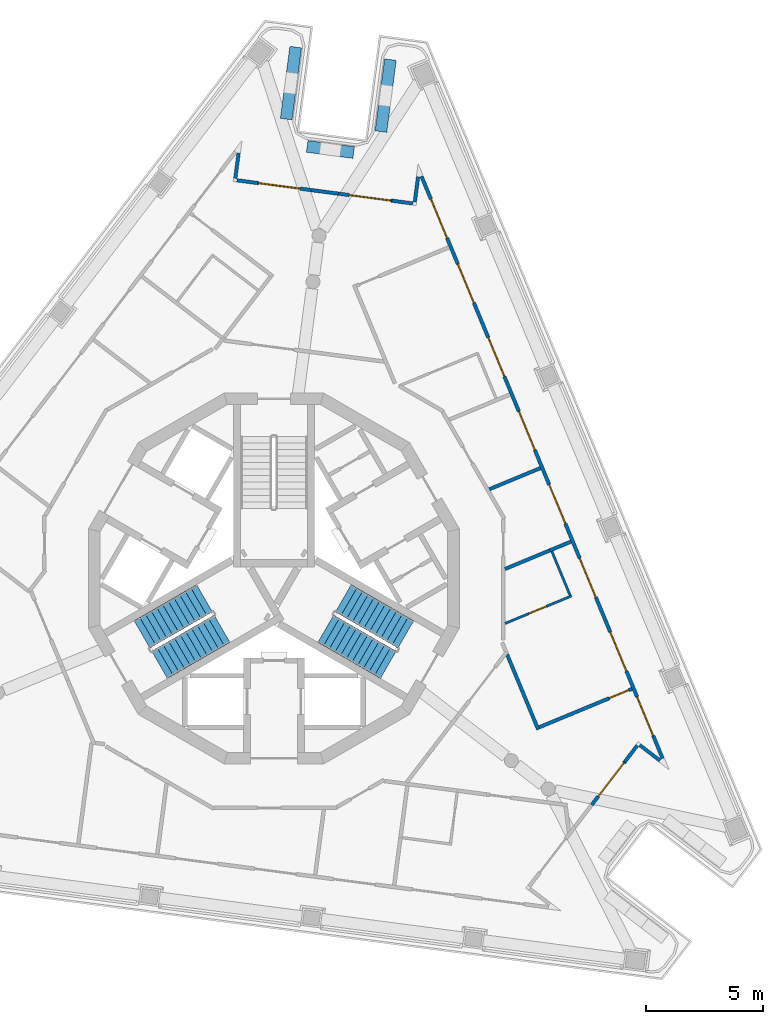
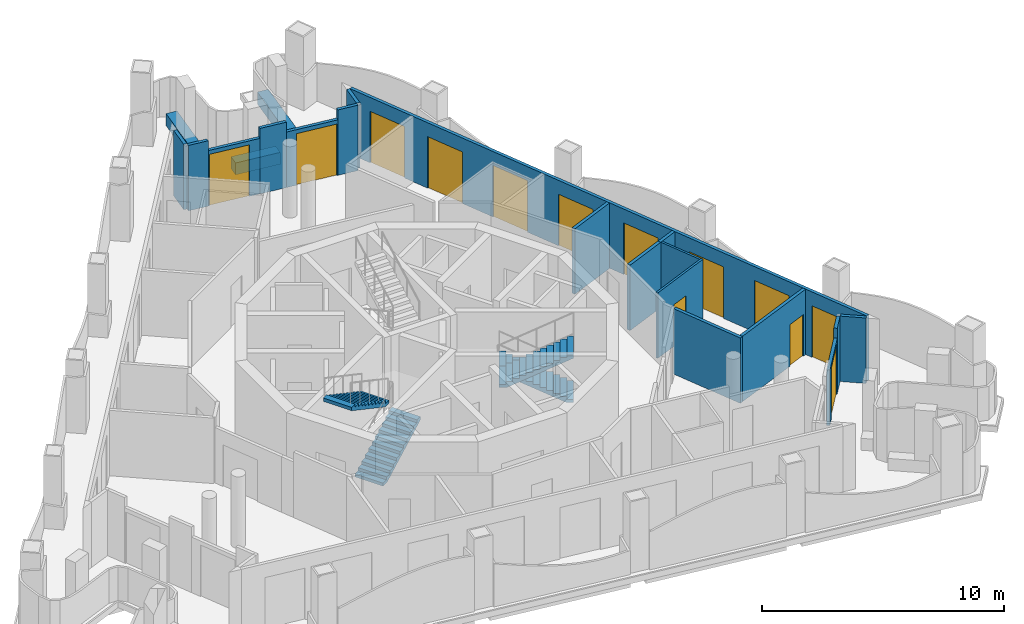
# One storey, part 6 of 13: 21 walls, 13 doors, 4 stair flights, 13 openings, 2 elements without a shape of their own.
"""IFC4 building model written with IfcOpenShell, lengths in metres."""

import ifcopenshell
import ifcopenshell.guid

model = None  # the IFC model being written
_history = None  # IfcOwnerHistory: only IFC2X3 demands one
_inside = {}  # id of a spatial element -> (the spatial element, [elements in it])
_under = {}  # id of a project, library or spatial element -> (it, [spatial elements below it])
_declared = {}  # id of a project -> (the project, [libraries it declares])
_typed = {}  # id of a type object -> (the type object, [elements of that type])
_made_of = {}  # id of a material, layer set ... -> (it, [elements and type objects made of it])


def new_model(schema):
    """Start an empty IFC model of exactly this schema.

    Asked for "IFC4X3", IfcOpenShell would pick the latest addendum, in which some entities
    have other attributes; the version numbers below select the first issue.
    IFC2X3 requires an IfcOwnerHistory on every rooted entity: one is made here for all.
    """
    global model, _history
    if schema == "IFC4X3":
        model = ifcopenshell.file(schema_version=(4, 3, 0, 0))
    else:
        model = ifcopenshell.file(schema=schema)
    _inside.clear()
    _under.clear()
    _declared.clear()
    _typed.clear()
    _made_of.clear()
    _history = None
    if model.schema == "IFC2X3":
        org = make("IfcOrganization", Name="unknown")
        user = make(
            "IfcPersonAndOrganization",
            ThePerson=make("IfcPerson", FamilyName="unknown"),
            TheOrganization=org,
        )
        app = make(
            "IfcApplication",
            ApplicationDeveloper=org,
            Version="unknown",
            ApplicationFullName="unknown",
            ApplicationIdentifier="unknown",
        )
        _history = make(
            "IfcOwnerHistory",
            OwningUser=user,
            OwningApplication=app,
            ChangeAction="ADDED",
            CreationDate=0,
        )
    return model


def make(cls, **values):
    """One entity of the class cls with the attributes given. An attribute that is None is left unset."""
    return model.create_entity(
        cls, **{name: value for name, value in values.items() if value is not None}
    )


def rooted(cls, **values):
    """An entity with a GlobalId (a new one), such as an element, a storey or a relation."""
    return make(cls, GlobalId=ifcopenshell.guid.new(), OwnerHistory=_history, **values)


def si_unit(unit_type, name, prefix=None):
    """IfcSIUnit, for example si_unit("LENGTHUNIT", "METRE", prefix="MILLI")."""
    return make("IfcSIUnit", UnitType=unit_type, Prefix=prefix, Name=name)


def assignment(units):
    """IfcUnitAssignment: the units of a project."""
    return None if units is None else make("IfcUnitAssignment", Units=units)


def point(xyz):
    """IfcCartesianPoint."""
    return None if xyz is None else make("IfcCartesianPoint", Coordinates=xyz)


def direction(xyz):
    """IfcDirection."""
    return None if xyz is None else make("IfcDirection", DirectionRatios=xyz)


def frame(location, z_axis=None, x_axis=None):
    """IfcAxis2Placement3D, a coordinate frame: its origin and axes. An axis left out is left unset."""
    return make(
        "IfcAxis2Placement3D",
        Location=point(location),
        Axis=direction(z_axis),
        RefDirection=direction(x_axis),
    )


def frame_2d(location, x_axis=None):
    """IfcAxis2Placement2D, a coordinate frame in the plane: its origin and x axis."""
    return make(
        "IfcAxis2Placement2D", Location=point(location), RefDirection=direction(x_axis)
    )


def origin():
    """The frame at (0, 0, 0) with its axes left unset."""
    return frame((0.0, 0.0, 0.0))


def place(relative_to, where):
    """IfcLocalPlacement: puts the frame where relative to a parent placement (None: the world)."""
    return make(
        "IfcLocalPlacement", PlacementRelTo=relative_to, RelativePlacement=where
    )


def context(
    kind, dimensions, precision=None, world=None, true_north=None, identifier=None
):
    """IfcGeometricRepresentationContext, for example the 3D "Model" context."""
    return make(
        "IfcGeometricRepresentationContext",
        ContextIdentifier=identifier,
        ContextType=kind,
        CoordinateSpaceDimension=dimensions,
        Precision=precision,
        WorldCoordinateSystem=world,
        TrueNorth=true_north,
    )


def subcontext(parent, identifier, kind, view, scale=None):
    """IfcGeometricRepresentationSubContext, for example "Body" below "Model"."""
    return make(
        "IfcGeometricRepresentationSubContext",
        ContextIdentifier=identifier,
        ContextType=kind,
        ParentContext=parent,
        TargetScale=scale,
        TargetView=view,
    )


def project(units=None, contexts=None):
    """IfcProject with its units and contexts."""
    return rooted(
        "IfcProject",
        Name="project",
        RepresentationContexts=contexts,
        UnitsInContext=assignment(units),
    )


def spatial(cls, under=None, at=None, **own):
    """A site, building, storey or space (cls), placed at a placement, below another one or the project."""
    s = rooted(cls, ObjectPlacement=at, **own)
    if under is not None:
        _under.setdefault(under.id(), (under, []))[1].append(s)
    return s


def polyline(points):
    """IfcPolyline through the points."""
    return make("IfcPolyline", Points=[point(p) for p in points])


def profile(cls, at=None, kind="AREA", **sizes):
    """A parametric profile (cls). Its sizes go by their IFC names, for example OverallWidth=200.0."""
    return make(cls, ProfileType=kind, Position=at, **sizes)


def rectangle(**sizes):
    """IfcRectangleProfileDef."""
    return profile("IfcRectangleProfileDef", **sizes)


def outline(outer, holes=None, kind="AREA"):
    """IfcArbitraryClosedProfileDef: a profile drawn as a closed curve; with holes, ...WithVoids."""
    if holes is None:
        return make("IfcArbitraryClosedProfileDef", ProfileType=kind, OuterCurve=outer)
    return make(
        "IfcArbitraryProfileDefWithVoids",
        ProfileType=kind,
        OuterCurve=outer,
        InnerCurves=holes,
    )


def extrude(swept, where, along, depth):
    """IfcExtrudedAreaSolid: the profile swept, set in the frame where, extruded along a direction by depth."""
    return make(
        "IfcExtrudedAreaSolid",
        SweptArea=swept,
        Position=where,
        ExtrudedDirection=direction(along),
        Depth=depth,
    )


def shape(context_of_items, identifier, shape_type, items):
    """IfcShapeRepresentation: the items that make up one representation, for example the "Body"."""
    return make(
        "IfcShapeRepresentation",
        ContextOfItems=context_of_items,
        RepresentationIdentifier=identifier,
        RepresentationType=shape_type,
        Items=items,
    )


def material(Name=None, Category=None):
    """IfcMaterial."""
    return make("IfcMaterial", Name=Name, Category=Category)


def layer(
    of_material, thickness, ventilated=None, Name=None, Category=None, Priority=None
):
    """IfcMaterialLayer: one layer of a wall or slab, of a material (None: an air gap)."""
    return make(
        "IfcMaterialLayer",
        Material=of_material,
        LayerThickness=thickness,
        IsVentilated=ventilated,
        Name=Name,
        Category=Category,
        Priority=Priority,
    )


def layer_set(layers, Name=None):
    """IfcMaterialLayerSet."""
    return make("IfcMaterialLayerSet", MaterialLayers=layers, LayerSetName=Name)


def made_of(thing, what):
    """Note that an element or type object is made of a material, layer set ...; save() writes the relation."""
    if what is not None:
        _made_of.setdefault(what.id(), (what, []))[1].append(thing)
    return thing


def type_object(cls, material=None, **own):
    """A type object (cls), such as IfcWallType, which elements share."""
    return made_of(rooted(cls, **own), material)


def element(
    cls,
    number,
    at=None,
    inside=None,
    cuts=None,
    type_object=None,
    material=None,
    context=None,
    identifier="Body",
    shape_type=None,
    held_by="IfcProductDefinitionShape",
    body=None,
    shapes=None,
    **own,
):
    """One element of the class cls, such as IfcWall. Its Tag is "e" and its number.

    at: its placement. inside: the storey or other place that contains it. cuts: it is an
    opening in that element (IfcRelVoidsElement). A single representation is given by context,
    identifier, shape_type and body (its items); several are given by shapes. held_by: the class
    of the entity that holds the representations. save() writes the other relations.
    """
    e = rooted(cls, Tag="e%d" % number, ObjectPlacement=at, **own)
    if body is not None:
        shapes = [shape(context, identifier, shape_type, body)]
    if shapes is not None:
        e.Representation = make(held_by, Representations=shapes)
    if inside is not None:
        _inside.setdefault(inside.id(), (inside, []))[1].append(e)
    if cuts is not None:
        rooted(
            "IfcRelVoidsElement", RelatingBuildingElement=cuts, RelatedOpeningElement=e
        )
    if type_object is not None:
        _typed.setdefault(type_object.id(), (type_object, []))[1].append(e)
    return made_of(e, material)


def fill(opening, filler):
    """IfcRelFillsElement: the door or window that sits in an opening."""
    return rooted(
        "IfcRelFillsElement",
        RelatingOpeningElement=opening,
        RelatedBuildingElement=filler,
    )


def aggregate(whole, parts):
    """IfcRelAggregates: a whole, such as a stair, and the parts it consists of."""
    return rooted("IfcRelAggregates", RelatingObject=whole, RelatedObjects=parts)


def save(model, path):
    """Write the relations noted so far, then the file.

    IfcRelAggregates (storeys below a building ...), IfcRelContainedInSpatialStructure (elements
    in a storey), IfcRelDefinesByType, IfcRelAssociatesMaterial and IfcRelDeclares: one each for
    every whole, place, type object, material and project.
    """
    for whole, parts in _under.values():
        aggregate(whole, parts)
    for where, things in _inside.values():
        rooted(
            "IfcRelContainedInSpatialStructure",
            RelatedElements=things,
            RelatingStructure=where,
        )
    for kind, things in _typed.values():
        rooted("IfcRelDefinesByType", RelatedObjects=things, RelatingType=kind)
    for what, things in _made_of.values():
        rooted("IfcRelAssociatesMaterial", RelatedObjects=things, RelatingMaterial=what)
    for by, libraries in _declared.values():
        rooted("IfcRelDeclares", RelatingContext=by, RelatedDefinitions=libraries)
    model.write(path)


model = new_model("IFC4")

# Units and contexts
model_context = context("Model", 3, precision=1e-05, world=origin(), true_north=direction((0.0, 1.0)))
body_context = subcontext(model_context, "Body", "Model", "MODEL_VIEW")
ifc_project = project(units=[si_unit("LENGTHUNIT", "METRE"), si_unit("AREAUNIT", "SQUARE_METRE"), si_unit("VOLUMEUNIT", "CUBIC_METRE"), si_unit("PLANEANGLEUNIT", "RADIAN"), si_unit("MASSUNIT", "GRAM", prefix="KILO")], contexts=[model_context])

# Site, building, storey
site_placement = place(None, origin())
site = spatial("IfcSite", under=ifc_project, at=site_placement, CompositionType="ELEMENT")
building_placement = place(site_placement, origin())
building = spatial("IfcBuilding", under=site, at=building_placement, Name="Trine Commons Tower", CompositionType="ELEMENT")
storey_placement = place(building_placement, frame((0.0, 0.0, 286.199951171875)))
storey = spatial("IfcBuildingStorey", under=building, at=storey_placement, Name="L75", CompositionType="ELEMENT", Elevation=286.199951171875)

# Walls
ifc_material_1 = material(Name="Aluminium-framed insulated wall panel", Category="aluminium")
ifc_layer_1 = layer(ifc_material_1, 0.14990234375)
ifc_layer_set_1 = layer_set([ifc_layer_1], Name="Aluminium-framed insulated wall panel")
wall_type_1 = type_object("IfcWallType", Name="Glazed frame wall 150, EI 60", PredefinedType="SOLIDWALL", material=ifc_layer_set_1)
wall_1_placement = place(storey_placement, frame((78.51220703125, 80.81005859375, 0.0), z_axis=(0.0, 0.0, 1.0), x_axis=(-0.130510858064, -0.991446880033, 0.0)))
element("IfcWall", 1, at=wall_1_placement, inside=storey, type_object=wall_type_1, Name="Glazed frame wall R2", PredefinedType="SOLIDWALL", context=body_context, shape_type="SweptSolid", body=[
    extrude(outline(polyline([(0.1494140625, 0.074951171875), (0.1494140625, -0.074951171875), (1.235107421875, -0.074951171875), (1.235107421875, 0.074951171875), (0.1494140625, 0.074951171875)])), origin(), (0.0, 0.0, 1.0), 3.300048828125),
])
wall_2_placement = place(storey_placement, frame((78.306396484375, 79.515869140625, 0.0), z_axis=(0.0, 0.0, 1.0), x_axis=(0.991437672373, -0.130580786489, 0.0)))
element("IfcWall", 2, at=wall_2_placement, inside=storey, type_object=wall_type_1, Name="Glazed frame wall P1.1", PredefinedType="SOLIDWALL", context=body_context, shape_type="SweptSolid", body=[
    extrude(outline(polyline([(0.110107421875, -0.074951171875), (1.0, -0.074951171875), (1.0, 0.074951171875), (0.110107421875, 0.074951171875), (0.110107421875, -0.074951171875)])), origin(), (0.0, 0.0, 1.0), 3.300048828125),
])

# Wall, opening, door
wall_3_placement = place(storey_placement, frame((79.298095703125, 79.38525390625, 0.0), z_axis=(0.0, 0.0, 1.0), x_axis=(0.991435223914, -0.130599375121, 0.0)))
wall_3 = element("IfcWall", 3, at=wall_3_placement, inside=storey, type_object=wall_type_1, Name="Glazed frame wall P1.2", PredefinedType="SOLIDWALL", context=body_context, shape_type="SweptSolid", body=[
    extrude(outline(polyline([(0.0, -0.074951171875), (2.310791015625, -0.074951171875), (2.310791015625, 0.074951171875), (0.0, 0.074951171875), (0.0, -0.074951171875)])), origin(), (0.0, 0.0, 1.0), 2.800048828125),
])
opening_1_placement = place(wall_3_placement, frame((0.050048828125, 0.0, 0.0)))
opening_1 = element("IfcOpeningElement", 4, at=opening_1_placement, cuts=wall_3, Name="Opening BD-8P1-01", PredefinedType="OPENING", context=body_context, shape_type="SweptSolid", body=[
    extrude(rectangle(XDim=1.800048828125, YDim=2.60009765625, at=frame_2d((0.89990234375, 1.300048828125))), frame((0.0, 0.0849609375, 0.0), z_axis=(0.0, -1.0, 0.0), x_axis=(1.0, 0.0, 0.0)), (0.0, 0.0, 1.0), 0.169921875),
])
ifc_material_2 = material(Name="Anodised aluminium frame with double glazing", Category="aluminium")
door_type_1 = type_object("IfcDoorType", Name="Sliding loggia door 1800x2600", OperationType="SLIDING_TO_LEFT", PredefinedType="DOOR", material=ifc_material_2)
door_1_placement = place(opening_1_placement, origin())
door_1 = element("IfcDoor", 5, at=door_1_placement, inside=storey, type_object=door_type_1, Name="Loggia door P1 1", OperationType="SLIDING_TO_LEFT", OverallHeight=2.60009765625, OverallWidth=1.800048828125, PredefinedType="DOOR", context=body_context, shape_type="SweptSolid", body=[
    extrude(rectangle(XDim=1.800048828125, YDim=2.60009765625, at=frame_2d((0.89990234375, 1.300048828125))), frame((0.0, 0.02490234375, 0.0), z_axis=(0.0, -1.0, 0.0), x_axis=(1.0, 0.0, 0.0)), (0.0, 0.0, 1.0), 0.050048828125),
])
fill(opening_1, door_1)

# Wall
wall_4_placement = place(storey_placement, frame((81.5888671875, 79.08349609375, 0.0), z_axis=(0.0, 0.0, 1.0), x_axis=(0.991447243185, -0.130508099291, 0.0)))
element("IfcWall", 6, at=wall_4_placement, inside=storey, type_object=wall_type_1, Name="Glazed frame wall P1.3", PredefinedType="SOLIDWALL", context=body_context, shape_type="SweptSolid", body=[
    extrude(outline(polyline([(0.0, -0.074951171875), (1.1787109375, -0.074951171875), (1.1787109375, 0.074951171875), (0.0, 0.074951171875), (0.0, -0.074951171875)])), origin(), (0.0, 0.0, 1.0), 3.300048828125),
])

# Wall, opening, door
wall_5_placement = place(storey_placement, frame((82.75732421875, 78.9296875, 0.0), z_axis=(0.0, 0.0, 1.0), x_axis=(0.991450699069, -0.130481842855, 0.0)))
wall_5 = element("IfcWall", 7, at=wall_5_placement, inside=storey, type_object=wall_type_1, Name="Glazed frame wall P1.4", PredefinedType="SOLIDWALL", context=body_context, shape_type="SweptSolid", body=[
    extrude(outline(polyline([(0.0, -0.074951171875), (2.310791015625, -0.074951171875), (2.310791015625, 0.074951171875), (0.0, 0.074951171875), (0.0, -0.074951171875)])), origin(), (0.0, 0.0, 1.0), 2.800048828125),
])
opening_2_placement = place(wall_5_placement, frame((0.460693359375, 0.0, 0.0)))
opening_2 = element("IfcOpeningElement", 8, at=opening_2_placement, cuts=wall_5, Name="Opening BD-8P1-02", PredefinedType="OPENING", context=body_context, shape_type="SweptSolid", body=[
    extrude(rectangle(XDim=1.800048828125, YDim=2.60009765625, at=frame_2d((0.89990234375, 1.300048828125))), frame((0.0, 0.0849609375, 0.0), z_axis=(0.0, -1.0, 0.0), x_axis=(1.0, 0.0, 0.0)), (0.0, 0.0, 1.0), 0.169921875),
])
door_2_placement = place(opening_2_placement, origin())
door_2 = element("IfcDoor", 9, at=door_2_placement, inside=storey, type_object=door_type_1, Name="Loggia door P1 2", OperationType="SLIDING_TO_LEFT", OverallHeight=2.60009765625, OverallWidth=1.800048828125, PredefinedType="DOOR", context=body_context, shape_type="SweptSolid", body=[
    extrude(rectangle(XDim=1.800048828125, YDim=2.60009765625, at=frame_2d((0.89990234375, 1.300048828125))), frame((0.0, 0.02490234375, 0.0), z_axis=(0.0, -1.0, 0.0), x_axis=(1.0, 0.0, 0.0)), (0.0, 0.0, 1.0), 0.050048828125),
])
fill(opening_2, door_2)

# Walls
wall_6_placement = place(storey_placement, frame((85.04833984375, 78.628173828125, 0.0), z_axis=(0.0, 0.0, 1.0), x_axis=(0.991465094935, -0.130372410907, 0.0)))
element("IfcWall", 10, at=wall_6_placement, inside=storey, type_object=wall_type_1, Name="Glazed frame wall P1.5", PredefinedType="SOLIDWALL", context=body_context, shape_type="SweptSolid", body=[
    extrude(outline(polyline([(0.889892578125, 0.074951171875), (0.0, 0.074951171875), (0.0, -0.074951171875), (0.889892578125, -0.074951171875), (0.889892578125, 0.074951171875)])), origin(), (0.0, 0.0, 1.0), 3.300048828125),
])
wall_7_placement = place(storey_placement, frame((86.00048828125, 78.467529296875, 0.0), z_axis=(0.0, 0.0, 1.0), x_axis=(0.130510858064, 0.991446880033, 0.0)))
element("IfcWall", 11, at=wall_7_placement, inside=storey, type_object=wall_type_1, Name="Glazed frame wall R4", PredefinedType="SOLIDWALL", context=body_context, shape_type="SweptSolid", body=[
    extrude(outline(polyline([(0.110107421875, 0.074951171875), (0.110107421875, -0.074951171875), (1.19580078125, -0.074951171875), (1.19580078125, 0.074951171875), (0.110107421875, 0.074951171875)])), origin(), (0.0, 0.0, 1.0), 3.300048828125),
])

# Wall, openings, doors
wall_8_placement = place(storey_placement, frame((86.2431640625, 79.809814453125, 0.0), z_axis=(0.0, 0.0, 1.0), x_axis=(0.382683868189, -0.923879351987, 0.0)))
wall_8 = element("IfcWall", 12, at=wall_8_placement, inside=storey, type_object=wall_type_1, Name="Glazed frame wall F2", PredefinedType="SOLIDWALL", context=body_context, shape_type="SweptSolid", body=[
    extrude(outline(polyline([(0.1494140625, 0.074951171875), (0.1494140625, -0.074951171875), (27.056884765625, -0.074951171875), (27.056884765625, 0.074951171875), (0.1494140625, 0.074951171875)])), origin(), (0.0, 0.0, 1.0), 3.300048828125),
])
opening_3_placement = place(wall_8_placement, frame((1.200439453125, 0.0, 0.0)))
opening_3 = element("IfcOpeningElement", 13, at=opening_3_placement, cuts=wall_8, Name="Opening BD-8F2-01", PredefinedType="OPENING", context=body_context, shape_type="SweptSolid", body=[
    extrude(rectangle(XDim=1.800048828125, YDim=2.60009765625, at=frame_2d((0.89990234375, 1.300048828125))), frame((0.0, 0.0849609375, 0.0), z_axis=(0.0, -1.0, 0.0), x_axis=(1.0, 0.0, 0.0)), (0.0, 0.0, 1.0), 0.169921875),
])
opening_4_placement = place(wall_8_placement, frame((4.201171875, 0.0, 0.0)))
opening_4 = element("IfcOpeningElement", 14, at=opening_4_placement, cuts=wall_8, Name="Opening BD-8F2-02", PredefinedType="OPENING", context=body_context, shape_type="SweptSolid", body=[
    extrude(rectangle(XDim=1.800048828125, YDim=2.60009765625, at=frame_2d((0.89990234375, 1.300048828125))), frame((0.0, 0.0849609375, 0.0), z_axis=(0.0, -1.0, 0.0), x_axis=(1.0, 0.0, 0.0)), (0.0, 0.0, 1.0), 0.169921875),
])
opening_5_placement = place(wall_8_placement, frame((7.60205078125, 0.0, 0.0)))
opening_5 = element("IfcOpeningElement", 15, at=opening_5_placement, cuts=wall_8, Name="Opening BD-8F2-03", PredefinedType="OPENING", context=body_context, shape_type="SweptSolid", body=[
    extrude(rectangle(XDim=1.800048828125, YDim=2.60009765625, at=frame_2d((0.89990234375, 1.300048828125))), frame((0.0, 0.0849609375, 0.0), z_axis=(0.0, -1.0, 0.0), x_axis=(1.0, 0.0, 0.0)), (0.0, 0.0, 1.0), 0.169921875),
])
opening_6_placement = place(wall_8_placement, frame((11.002685546875, 0.0, 0.0)))
opening_6 = element("IfcOpeningElement", 16, at=opening_6_placement, cuts=wall_8, Name="Opening BD-8F2-04", PredefinedType="OPENING", context=body_context, shape_type="SweptSolid", body=[
    extrude(rectangle(XDim=1.800048828125, YDim=2.60009765625, at=frame_2d((0.89990234375, 1.300048828125))), frame((0.0, 0.0849609375, 0.0), z_axis=(0.0, -1.0, 0.0), x_axis=(1.0, 0.0, 0.0)), (0.0, 0.0, 1.0), 0.169921875),
])
opening_7_placement = place(wall_8_placement, frame((14.403564453125, 0.0, 0.0)))
opening_7 = element("IfcOpeningElement", 17, at=opening_7_placement, cuts=wall_8, Name="Opening BD-8F2-05", PredefinedType="OPENING", context=body_context, shape_type="SweptSolid", body=[
    extrude(rectangle(XDim=1.800048828125, YDim=2.60009765625, at=frame_2d((0.89990234375, 1.300048828125))), frame((0.0, 0.0849609375, 0.0), z_axis=(0.0, -1.0, 0.0), x_axis=(1.0, 0.0, 0.0)), (0.0, 0.0, 1.0), 0.169921875),
])
opening_8_placement = place(wall_8_placement, frame((17.804443359375, 0.0, 0.0)))
opening_8 = element("IfcOpeningElement", 18, at=opening_8_placement, cuts=wall_8, Name="Opening BD-8F2-06", PredefinedType="OPENING", context=body_context, shape_type="SweptSolid", body=[
    extrude(rectangle(XDim=1.800048828125, YDim=2.60009765625, at=frame_2d((0.89990234375, 1.300048828125))), frame((0.0, 0.0849609375, 0.0), z_axis=(0.0, -1.0, 0.0), x_axis=(1.0, 0.0, 0.0)), (0.0, 0.0, 1.0), 0.169921875),
])
opening_9_placement = place(wall_8_placement, frame((21.205078125, 0.0, 0.0)))
opening_9 = element("IfcOpeningElement", 19, at=opening_9_placement, cuts=wall_8, Name="Opening BD-8F2-07", PredefinedType="OPENING", context=body_context, shape_type="SweptSolid", body=[
    extrude(rectangle(XDim=1.800048828125, YDim=2.60009765625, at=frame_2d((0.89990234375, 1.300048828125))), frame((0.0, 0.0849609375, 0.0), z_axis=(0.0, -1.0, 0.0), x_axis=(1.0, 0.0, 0.0)), (0.0, 0.0, 1.0), 0.169921875),
])
opening_10_placement = place(wall_8_placement, frame((24.2060546875, 0.0, 0.0)))
opening_10 = element("IfcOpeningElement", 20, at=opening_10_placement, cuts=wall_8, Name="Opening BD-8F2-08", PredefinedType="OPENING", context=body_context, shape_type="SweptSolid", body=[
    extrude(rectangle(XDim=1.800048828125, YDim=2.60009765625, at=frame_2d((0.89990234375, 1.300048828125))), frame((0.0, 0.0849609375, 0.0), z_axis=(0.0, -1.0, 0.0), x_axis=(1.0, 0.0, 0.0)), (0.0, 0.0, 1.0), 0.169921875),
])
door_3_placement = place(opening_3_placement, origin())
door_3 = element("IfcDoor", 21, at=door_3_placement, inside=storey, type_object=door_type_1, Name="Loggia door F2 1", OperationType="SLIDING_TO_LEFT", OverallHeight=2.60009765625, OverallWidth=1.800048828125, PredefinedType="DOOR", context=body_context, shape_type="SweptSolid", body=[
    extrude(rectangle(XDim=1.800048828125, YDim=2.60009765625, at=frame_2d((0.89990234375, 1.300048828125))), frame((0.0, 0.02490234375, 0.0), z_axis=(0.0, -1.0, 0.0), x_axis=(1.0, 0.0, 0.0)), (0.0, 0.0, 1.0), 0.050048828125),
])
fill(opening_3, door_3)
door_4_placement = place(opening_4_placement, origin())
door_4 = element("IfcDoor", 22, at=door_4_placement, inside=storey, type_object=door_type_1, Name="Loggia door F2 2", OperationType="SLIDING_TO_LEFT", OverallHeight=2.60009765625, OverallWidth=1.800048828125, PredefinedType="DOOR", context=body_context, shape_type="SweptSolid", body=[
    extrude(rectangle(XDim=1.800048828125, YDim=2.60009765625, at=frame_2d((0.89990234375, 1.300048828125))), frame((0.0, 0.02490234375, 0.0), z_axis=(0.0, -1.0, 0.0), x_axis=(1.0, 0.0, 0.0)), (0.0, 0.0, 1.0), 0.050048828125),
])
fill(opening_4, door_4)
door_5_placement = place(opening_5_placement, origin())
door_5 = element("IfcDoor", 23, at=door_5_placement, inside=storey, type_object=door_type_1, Name="Loggia door F2 3", OperationType="SLIDING_TO_LEFT", OverallHeight=2.60009765625, OverallWidth=1.800048828125, PredefinedType="DOOR", context=body_context, shape_type="SweptSolid", body=[
    extrude(rectangle(XDim=1.800048828125, YDim=2.60009765625, at=frame_2d((0.89990234375, 1.300048828125))), frame((0.0, 0.02490234375, 0.0), z_axis=(0.0, -1.0, 0.0), x_axis=(1.0, 0.0, 0.0)), (0.0, 0.0, 1.0), 0.050048828125),
])
fill(opening_5, door_5)
door_6_placement = place(opening_6_placement, origin())
door_6 = element("IfcDoor", 24, at=door_6_placement, inside=storey, type_object=door_type_1, Name="Loggia door F2 4", OperationType="SLIDING_TO_LEFT", OverallHeight=2.60009765625, OverallWidth=1.800048828125, PredefinedType="DOOR", context=body_context, shape_type="SweptSolid", body=[
    extrude(rectangle(XDim=1.800048828125, YDim=2.60009765625, at=frame_2d((0.89990234375, 1.300048828125))), frame((0.0, 0.02490234375, 0.0), z_axis=(0.0, -1.0, 0.0), x_axis=(1.0, 0.0, 0.0)), (0.0, 0.0, 1.0), 0.050048828125),
])
fill(opening_6, door_6)
door_7_placement = place(opening_7_placement, origin())
door_7 = element("IfcDoor", 25, at=door_7_placement, inside=storey, type_object=door_type_1, Name="Loggia door F2 5", OperationType="SLIDING_TO_LEFT", OverallHeight=2.60009765625, OverallWidth=1.800048828125, PredefinedType="DOOR", context=body_context, shape_type="SweptSolid", body=[
    extrude(rectangle(XDim=1.800048828125, YDim=2.60009765625, at=frame_2d((0.89990234375, 1.300048828125))), frame((0.0, 0.02490234375, 0.0), z_axis=(0.0, -1.0, 0.0), x_axis=(1.0, 0.0, 0.0)), (0.0, 0.0, 1.0), 0.050048828125),
])
fill(opening_7, door_7)
door_8_placement = place(opening_8_placement, origin())
door_8 = element("IfcDoor", 26, at=door_8_placement, inside=storey, type_object=door_type_1, Name="Loggia door F2 6", OperationType="SLIDING_TO_LEFT", OverallHeight=2.60009765625, OverallWidth=1.800048828125, PredefinedType="DOOR", context=body_context, shape_type="SweptSolid", body=[
    extrude(rectangle(XDim=1.800048828125, YDim=2.60009765625, at=frame_2d((0.89990234375, 1.300048828125))), frame((0.0, 0.02490234375, 0.0), z_axis=(0.0, -1.0, 0.0), x_axis=(1.0, 0.0, 0.0)), (0.0, 0.0, 1.0), 0.050048828125),
])
fill(opening_8, door_8)
door_9_placement = place(opening_9_placement, origin())
door_9 = element("IfcDoor", 27, at=door_9_placement, inside=storey, type_object=door_type_1, Name="Loggia door F2 7", OperationType="SLIDING_TO_LEFT", OverallHeight=2.60009765625, OverallWidth=1.800048828125, PredefinedType="DOOR", context=body_context, shape_type="SweptSolid", body=[
    extrude(rectangle(XDim=1.800048828125, YDim=2.60009765625, at=frame_2d((0.89990234375, 1.300048828125))), frame((0.0, 0.02490234375, 0.0), z_axis=(0.0, -1.0, 0.0), x_axis=(1.0, 0.0, 0.0)), (0.0, 0.0, 1.0), 0.050048828125),
])
fill(opening_9, door_9)
door_10_placement = place(opening_10_placement, origin())
door_10 = element("IfcDoor", 28, at=door_10_placement, inside=storey, type_object=door_type_1, Name="Loggia door F2 8", OperationType="SLIDING_TO_LEFT", OverallHeight=2.60009765625, OverallWidth=1.800048828125, PredefinedType="DOOR", context=body_context, shape_type="SweptSolid", body=[
    extrude(rectangle(XDim=1.800048828125, YDim=2.60009765625, at=frame_2d((0.89990234375, 1.300048828125))), frame((0.0, 0.02490234375, 0.0), z_axis=(0.0, -1.0, 0.0), x_axis=(1.0, 0.0, 0.0)), (0.0, 0.0, 1.0), 0.050048828125),
])
fill(opening_10, door_10)

# Walls
wall_9_placement = place(storey_placement, frame((96.600830078125, 54.633544921875, 0.0), z_axis=(0.0, 0.0, 1.0), x_axis=(-0.793352136239, 0.608762998157, 0.0)))
element("IfcWall", 29, at=wall_9_placement, inside=storey, type_object=wall_type_1, Name="Glazed frame wall R6", PredefinedType="SOLIDWALL", context=body_context, shape_type="SweptSolid", body=[
    extrude(outline(polyline([(0.1494140625, 0.074951171875), (0.1494140625, -0.074951171875), (1.235107421875, -0.074951171875), (1.235107421875, 0.074951171875), (0.1494140625, 0.074951171875)])), origin(), (0.0, 0.0, 1.0), 3.300048828125),
])
wall_10_placement = place(storey_placement, frame((95.582763671875, 55.458740234375, 0.0), z_axis=(0.0, 0.0, 1.0), x_axis=(-0.60863653794, -0.793449156962, 0.0)))
element("IfcWall", 30, at=wall_10_placement, inside=storey, type_object=wall_type_1, Name="Glazed frame wall P2.1", PredefinedType="SOLIDWALL", context=body_context, shape_type="SweptSolid", body=[
    extrude(outline(polyline([(0.110107421875, -0.074951171875), (1.0, -0.074951171875), (1.0, 0.074951171875), (0.110107421875, 0.074951171875), (0.110107421875, -0.074951171875)])), origin(), (0.0, 0.0, 1.0), 3.300048828125),
])

# Wall, opening, door
wall_11_placement = place(storey_placement, frame((94.97412109375, 54.665283203125, 0.0), z_axis=(0.0, 0.0, 1.0), x_axis=(-0.608821878019, -0.793306952475, 0.0)))
wall_11 = element("IfcWall", 31, at=wall_11_placement, inside=storey, type_object=wall_type_1, Name="Glazed frame wall P2.2", PredefinedType="SOLIDWALL", context=body_context, shape_type="SweptSolid", body=[
    extrude(outline(polyline([(0.0, -0.074951171875), (2.310791015625, -0.074951171875), (2.310791015625, 0.074951171875), (0.0, 0.074951171875), (0.0, -0.074951171875)])), origin(), (0.0, 0.0, 1.0), 2.800048828125),
])
opening_11_placement = place(wall_11_placement, frame((0.050048828125, 0.0, 0.0)))
opening_11 = element("IfcOpeningElement", 32, at=opening_11_placement, cuts=wall_11, Name="Opening BD-8P2-01", PredefinedType="OPENING", context=body_context, shape_type="SweptSolid", body=[
    extrude(rectangle(XDim=1.800048828125, YDim=2.60009765625, at=frame_2d((0.89990234375, 1.300048828125))), frame((0.0, 0.0849609375, 0.0), z_axis=(0.0, -1.0, 0.0), x_axis=(1.0, 0.0, 0.0)), (0.0, 0.0, 1.0), 0.169921875),
])
door_11_placement = place(opening_11_placement, origin())
door_11 = element("IfcDoor", 33, at=door_11_placement, inside=storey, type_object=door_type_1, Name="Loggia door P2 1", OperationType="SLIDING_TO_LEFT", OverallHeight=2.60009765625, OverallWidth=1.800048828125, PredefinedType="DOOR", context=body_context, shape_type="SweptSolid", body=[
    extrude(rectangle(XDim=1.800048828125, YDim=2.60009765625, at=frame_2d((0.89990234375, 1.300048828125))), frame((0.0, 0.02490234375, 0.0), z_axis=(0.0, -1.0, 0.0), x_axis=(1.0, 0.0, 0.0)), (0.0, 0.0, 1.0), 0.050048828125),
])
fill(opening_11, door_11)

# Walls
ifc_material_3 = material(Name="Planter trough, precast concrete C40/50", Category="concrete")
ifc_layer_2 = layer(ifc_material_3, 0.5)
ifc_layer_set_2 = layer_set([ifc_layer_2], Name="Planter trough, precast concrete C40/50")
wall_type_2 = type_object("IfcWallType", Name="Planter trough 500x600", PredefinedType="PARAPET", material=ifc_layer_set_2)
wall_12_placement = place(storey_placement, frame((80.92919921875, 85.18701171875, 0.0), z_axis=(0.0, 0.0, 1.0), x_axis=(-0.130487105691, -0.991450006429, 0.0)))
element("IfcWall", 34, at=wall_12_placement, inside=storey, type_object=wall_type_2, Name="Planter 4", PredefinedType="PARAPET", context=body_context, shape_type="SweptSolid", body=[
    extrude(rectangle(XDim=3.100341796875, YDim=0.5, at=frame_2d((1.55029296875, 0.0))), origin(), (0.0, 0.0, 1.0), 0.60009765625),
])
wall_13_placement = place(storey_placement, frame((81.419921875, 80.94677734375, 0.0), z_axis=(0.0, 0.0, 1.0), x_axis=(0.991433509034, -0.130612392842, 0.0)))
element("IfcWall", 35, at=wall_13_placement, inside=storey, type_object=wall_type_2, Name="Planter 5", PredefinedType="PARAPET", context=body_context, shape_type="SweptSolid", body=[
    extrude(rectangle(XDim=2.0, YDim=0.5, at=frame_2d((1.0, 0.0))), origin(), (0.0, 0.0, 1.0), 0.60009765625),
])
wall_14_placement = place(storey_placement, frame((84.569580078125, 81.5810546875, 0.0), z_axis=(0.0, 0.0, 1.0), x_axis=(0.130507484591, 0.9914473241, 0.0)))
element("IfcWall", 36, at=wall_14_placement, inside=storey, type_object=wall_type_2, Name="Planter 6", PredefinedType="PARAPET", context=body_context, shape_type="SweptSolid", body=[
    extrude(rectangle(XDim=3.099853515625, YDim=0.5, at=frame_2d((1.5498046875, 0.0))), origin(), (0.0, 0.0, 1.0), 0.60009765625),
])
ifc_material_4 = material(Name="Gypsum plasterboard on steel stud", Category="steel")
ifc_layer_3 = layer(ifc_material_4, 0.14990234375)
ifc_layer_set_3 = layer_set([ifc_layer_3], Name="Gypsum plasterboard on steel stud")
wall_type_3 = type_object("IfcWallType", Name="Unit and corridor wall 150 mm, EI 60", PredefinedType="PARTITIONING", material=ifc_layer_set_3)
wall_15_placement = place(storey_placement, frame((89.197265625, 66.309814453125, 0.0), z_axis=(0.0, 0.0, 1.0), x_axis=(0.923858052564, 0.382735285429, 0.0)))
element("IfcWall", 37, at=wall_15_placement, inside=storey, type_object=wall_type_3, Name="Partition 044", PredefinedType="PARTITIONING", context=body_context, shape_type="SweptSolid", body=[
    extrude(rectangle(XDim=2.361328125, YDim=0.14990234375, at=frame_2d((1.1806640625, 0.0))), origin(), (0.0, 0.0, 1.0), 3.300048828125),
])
wall_16_placement = place(storey_placement, frame((89.865234375, 62.90478515625, 0.0), z_axis=(0.0, 0.0, 1.0), x_axis=(0.923699797902, 0.383117062209, 0.0)))
element("IfcWall", 38, at=wall_16_placement, inside=storey, type_object=wall_type_3, Name="Partition 048", PredefinedType="PARTITIONING", context=body_context, shape_type="SweptSolid", body=[
    extrude(rectangle(XDim=2.14111328125, YDim=0.14990234375, at=frame_2d((1.070556640625, 0.0))), origin(), (0.0, 0.0, 1.0), 3.300048828125),
])
wall_17_placement = place(storey_placement, frame((89.9541015625, 59.260986328125, 0.0), z_axis=(0.0, 0.0, 1.0), x_axis=(0.382794280672, -0.923833609848, 0.0)))
element("IfcWall", 39, at=wall_17_placement, inside=storey, type_object=wall_type_3, Name="Partition 049", PredefinedType="PARTITIONING", context=body_context, shape_type="SweptSolid", body=[
    extrude(rectangle(XDim=3.475830078125, YDim=0.14990234375, at=frame_2d((1.73779296875, 0.0))), origin(), (0.0, 0.0, 1.0), 3.300048828125),
])

# Wall, opening, door
wall_18_placement = place(storey_placement, frame((91.3251953125, 56.147705078125, 0.0), z_axis=(0.0, 0.0, 1.0), x_axis=(0.923868914467, 0.382709065586, 0.0)))
wall_18 = element("IfcWall", 40, at=wall_18_placement, inside=storey, type_object=wall_type_3, Name="Partition 050", PredefinedType="PARTITIONING", context=body_context, shape_type="SweptSolid", body=[
    extrude(rectangle(XDim=4.284912109375, YDim=0.14990234375, at=frame_2d((2.142578125, 0.0))), origin(), (0.0, 0.0, 1.0), 3.300048828125),
])
opening_12_placement = place(wall_18_placement, frame((3.235107421875, 0.0, 0.0)))
opening_12 = element("IfcOpeningElement", 41, at=opening_12_placement, cuts=wall_18, Name="Opening D-8B11", PredefinedType="OPENING", context=body_context, shape_type="SweptSolid", body=[
    extrude(rectangle(XDim=0.89990234375, YDim=2.10009765625, at=frame_2d((0.449951171875, 1.050048828125))), frame((0.0, 0.0849609375, 0.0), z_axis=(0.0, -1.0, 0.0), x_axis=(1.0, 0.0, 0.0)), (0.0, 0.0, 1.0), 0.169921875),
])
ifc_material_5 = material(Name="Timber fire door set", Category="wood")
door_type_2 = type_object("IfcDoorType", Name="Bedroom door 900 x 2100, FD30S", OperationType="NOTDEFINED", PredefinedType="DOOR", material=ifc_material_5)
door_12_placement = place(opening_12_placement, origin())
door_12 = element("IfcDoor", 42, at=door_12_placement, inside=storey, type_object=door_type_2, Name="Door D-8B11", OperationType="SINGLE_SWING_RIGHT", OverallHeight=2.10009765625, OverallWidth=0.89990234375, PredefinedType="DOOR", context=body_context, shape_type="SweptSolid", body=[
    extrude(rectangle(XDim=0.89990234375, YDim=2.10009765625, at=frame_2d((0.449951171875, 1.050048828125))), frame((0.0, 0.02490234375, 0.0), z_axis=(0.0, -1.0, 0.0), x_axis=(1.0, 0.0, 0.0)), (0.0, 0.0, 1.0), 0.050048828125),
])
fill(opening_12, door_12)

# Wall
wall_19_placement = place(storey_placement, frame((91.789794921875, 63.702880859375, 0.0), z_axis=(0.0, 0.0, 1.0), x_axis=(0.923958226905, 0.382493392015, 0.0)))
element("IfcWall", 43, at=wall_19_placement, inside=storey, type_object=wall_type_3, Name="Partition 051", PredefinedType="PARTITIONING", context=body_context, shape_type="SweptSolid", body=[
    extrude(rectangle(XDim=0.96435546875, YDim=0.14990234375, at=frame_2d((0.482177734375, 0.0))), origin(), (0.0, 0.0, 1.0), 3.300048828125),
])

# Wall, opening, door
ifc_layer_4 = layer(ifc_material_4, 0.10009765625)
ifc_layer_set_4 = layer_set([ifc_layer_4], Name="Gypsum plasterboard on steel stud")
wall_type_4 = type_object("IfcWallType", Name="Unit partition 100 mm, no rating", PredefinedType="PARTITIONING", material=ifc_layer_set_4)
wall_20_placement = place(storey_placement, frame((89.865234375, 60.57763671875, 0.0), z_axis=(0.0, 0.0, 1.0), x_axis=(0.923828319661, 0.38280704773, 0.0)))
wall_20 = element("IfcWall", 44, at=wall_20_placement, inside=storey, type_object=wall_type_4, Name="Partition 047", PredefinedType="PARTITIONING", context=body_context, shape_type="SweptSolid", body=[
    extrude(rectangle(XDim=3.078369140625, YDim=0.10009765625, at=frame_2d((1.5390625, 0.0))), origin(), (0.0, 0.0, 1.0), 3.300048828125),
])
opening_13_placement = place(wall_20_placement, frame((1.1142578125, 0.0, 0.0)))
opening_13 = element("IfcOpeningElement", 45, at=opening_13_placement, cuts=wall_20, Name="Opening D-8B18", PredefinedType="OPENING", context=body_context, shape_type="SweptSolid", body=[
    extrude(rectangle(XDim=0.800048828125, YDim=2.10009765625, at=frame_2d((0.39990234375, 1.050048828125))), frame((0.0, 0.06005859375, 0.0), z_axis=(0.0, -1.0, 0.0), x_axis=(1.0, 0.0, 0.0)), (0.0, 0.0, 1.0), 0.1201171875),
])
ifc_material_6 = material(Name="Painted timber", Category="wood")
door_type_3 = type_object("IfcDoorType", Name="Internal door 800 x 2100, NOT RATED", OperationType="NOTDEFINED", PredefinedType="DOOR", material=ifc_material_6)
door_13_placement = place(opening_13_placement, frame((0.800048828125, 0.0, 0.0), z_axis=(0.0, 0.0, 1.0), x_axis=(-1.0, 0.0, 0.0)))
door_13 = element("IfcDoor", 46, at=door_13_placement, inside=storey, type_object=door_type_3, Name="Door D-8B18", OperationType="SINGLE_SWING_RIGHT", OverallHeight=2.10009765625, OverallWidth=0.800048828125, PredefinedType="DOOR", context=body_context, shape_type="SweptSolid", body=[
    extrude(rectangle(XDim=0.800048828125, YDim=2.10009765625, at=frame_2d((0.39990234375, 1.050048828125))), frame((0.0, 0.02490234375, 0.0), z_axis=(0.0, -1.0, 0.0), x_axis=(1.0, 0.0, 0.0)), (0.0, 0.0, 1.0), 0.050048828125),
])
fill(opening_13, door_13)

# Wall
wall_21_placement = place(storey_placement, frame((91.86865234375, 63.65380859375, 0.0), z_axis=(0.0, 0.0, 1.0), x_axis=(0.382816773578, -0.923824289498, 0.0)))
element("IfcWall", 47, at=wall_21_placement, inside=storey, type_object=wall_type_4, Name="Partition 052", PredefinedType="PARTITIONING", context=body_context, shape_type="SweptSolid", body=[
    extrude(rectangle(XDim=2.02490234375, YDim=0.10009765625, at=frame_2d((1.012451171875, 0.0))), origin(), (0.0, 0.0, 1.0), 3.300048828125),
])

# Stair, stair flights
ifc_material_7 = material(Name="Concrete C50/60", Category="concrete")
stair_type = type_object("IfcStairType", Name="Exit stair, dog-leg, 24 risers of 150 mm", PredefinedType="HALF_TURN_STAIR", material=ifc_material_7)
stair_1_placement = place(storey_placement, origin())
stair_1 = element("IfcStair", 48, at=stair_1_placement, inside=storey, type_object=stair_type, Name="L75 Exit stair ST2D", PredefinedType="HALF_TURN_STAIR")
stair_flight_type = type_object("IfcStairFlightType", Name="Stair flight, 1350 wide, 12 risers of 150 mm", PredefinedType="STRAIGHT", material=ifc_material_7)
stair_flight_1_placement = place(storey_placement, frame((75.11767578125, 58.815185546875, 0.0), z_axis=(0.0, 0.0, 1.0), x_axis=(0.866025403784, 0.5, 0.0)))
stair_flight_1 = element("IfcStairFlight", 49, at=stair_flight_1_placement, type_object=stair_flight_type, Name="ST2D flight 1", NumberOfRisers=12, NumberOfTreads=11, PredefinedType="STRAIGHT", RiserHeight=0.15, TreadLength=0.28, context=body_context, shape_type="SweptSolid", body=[
    extrude(outline(polyline([(0.0, 0.0), (0.0, 0.14990234375), (0.280029296875, 0.14990234375), (0.280029296875, 0.300048828125), (0.56005859375, 0.300048828125), (0.56005859375, 0.449951171875), (0.840087890625, 0.449951171875), (0.840087890625, 0.60009765625), (1.1201171875, 0.60009765625), (1.1201171875, 0.75), (1.39990234375, 0.75), (1.39990234375, 0.89990234375), (1.679931640625, 0.89990234375), (1.679931640625, 1.050048828125), (1.9599609375, 1.050048828125), (1.9599609375, 1.199951171875), (2.239990234375, 1.199951171875), (2.239990234375, 1.35009765625), (2.52001953125, 1.35009765625), (2.52001953125, 1.5), (2.800048828125, 1.5), (2.800048828125, 1.64990234375), (3.080078125, 1.64990234375), (3.080078125, 1.800048828125), (3.080078125, 1.47998046875), (0.3173828125, 0.0), (0.0, 0.0)])), frame((0.0, 0.675048828125, 0.0), z_axis=(0.0, -1.0, 0.0), x_axis=(1.0, 0.0, 0.0)), (0.0, 0.0, 1.0), 1.35009765625),
])
stair_flight_2_placement = place(storey_placement, frame((77.03515625, 61.654296875, 1.800048828125), z_axis=(0.0, 0.0, 1.0), x_axis=(-0.866025403784, -0.5, 0.0)))
stair_flight_2 = element("IfcStairFlight", 50, at=stair_flight_2_placement, type_object=stair_flight_type, Name="ST2D flight 2", NumberOfRisers=12, NumberOfTreads=11, PredefinedType="STRAIGHT", RiserHeight=0.15, TreadLength=0.28, context=body_context, shape_type="SweptSolid", body=[
    extrude(outline(polyline([(0.0, 0.0), (0.0, 0.14990234375), (0.280029296875, 0.14990234375), (0.280029296875, 0.300048828125), (0.56005859375, 0.300048828125), (0.56005859375, 0.449951171875), (0.840087890625, 0.449951171875), (0.840087890625, 0.60009765625), (1.1201171875, 0.60009765625), (1.1201171875, 0.75), (1.39990234375, 0.75), (1.39990234375, 0.89990234375), (1.679931640625, 0.89990234375), (1.679931640625, 1.050048828125), (1.9599609375, 1.050048828125), (1.9599609375, 1.199951171875), (2.239990234375, 1.199951171875), (2.239990234375, 1.35009765625), (2.52001953125, 1.35009765625), (2.52001953125, 1.5), (2.800048828125, 1.5), (2.800048828125, 1.64990234375), (3.080078125, 1.64990234375), (3.080078125, 1.800048828125), (3.080078125, 1.47998046875), (0.3173828125, 0.0), (0.0, 0.0)])), frame((0.0, 0.675048828125, 0.0), z_axis=(0.0, -1.0, 0.0), x_axis=(1.0, 0.0, 0.0)), (0.0, 0.0, 1.0), 1.35009765625),
])
aggregate(stair_1, [stair_flight_1, stair_flight_2])

stair_2_placement = place(storey_placement, origin())
stair_2 = element("IfcStair", 51, at=stair_2_placement, inside=storey, type_object=stair_type, Name="L75 Exit stair ST3D", PredefinedType="HALF_TURN_STAIR")
stair_flight_3_placement = place(storey_placement, frame((85.63232421875, 60.1142578125, 0.0), z_axis=(0.0, 0.0, 1.0), x_axis=(-0.866025403784, 0.5, 0.0)))
stair_flight_3 = element("IfcStairFlight", 52, at=stair_flight_3_placement, type_object=stair_flight_type, Name="ST3D flight 1", NumberOfRisers=12, NumberOfTreads=11, PredefinedType="STRAIGHT", RiserHeight=0.15, TreadLength=0.28, context=body_context, shape_type="SweptSolid", body=[
    extrude(outline(polyline([(0.0, 0.0), (0.0, 0.14990234375), (0.280029296875, 0.14990234375), (0.280029296875, 0.300048828125), (0.56005859375, 0.300048828125), (0.56005859375, 0.449951171875), (0.840087890625, 0.449951171875), (0.840087890625, 0.60009765625), (1.1201171875, 0.60009765625), (1.1201171875, 0.75), (1.39990234375, 0.75), (1.39990234375, 0.89990234375), (1.679931640625, 0.89990234375), (1.679931640625, 1.050048828125), (1.9599609375, 1.050048828125), (1.9599609375, 1.199951171875), (2.239990234375, 1.199951171875), (2.239990234375, 1.35009765625), (2.52001953125, 1.35009765625), (2.52001953125, 1.5), (2.800048828125, 1.5), (2.800048828125, 1.64990234375), (3.080078125, 1.64990234375), (3.080078125, 1.800048828125), (3.080078125, 1.47998046875), (0.3173828125, 0.0), (0.0, 0.0)])), frame((0.0, 0.675048828125, 0.0), z_axis=(0.0, -1.0, 0.0), x_axis=(1.0, 0.0, 0.0)), (0.0, 0.0, 1.0), 1.35009765625),
])
stair_flight_4_placement = place(storey_placement, frame((82.21484375, 60.355224609375, 1.800048828125), z_axis=(0.0, 0.0, 1.0), x_axis=(0.866025403784, -0.5, 0.0)))
stair_flight_4 = element("IfcStairFlight", 53, at=stair_flight_4_placement, type_object=stair_flight_type, Name="ST3D flight 2", NumberOfRisers=12, NumberOfTreads=11, PredefinedType="STRAIGHT", RiserHeight=0.15, TreadLength=0.28, context=body_context, shape_type="SweptSolid", body=[
    extrude(outline(polyline([(0.0, 0.0), (0.0, 0.14990234375), (0.280029296875, 0.14990234375), (0.280029296875, 0.300048828125), (0.56005859375, 0.300048828125), (0.56005859375, 0.449951171875), (0.840087890625, 0.449951171875), (0.840087890625, 0.60009765625), (1.1201171875, 0.60009765625), (1.1201171875, 0.75), (1.39990234375, 0.75), (1.39990234375, 0.89990234375), (1.679931640625, 0.89990234375), (1.679931640625, 1.050048828125), (1.9599609375, 1.050048828125), (1.9599609375, 1.199951171875), (2.239990234375, 1.199951171875), (2.239990234375, 1.35009765625), (2.52001953125, 1.35009765625), (2.52001953125, 1.5), (2.800048828125, 1.5), (2.800048828125, 1.64990234375), (3.080078125, 1.64990234375), (3.080078125, 1.800048828125), (3.080078125, 1.47998046875), (0.3173828125, 0.0), (0.0, 0.0)])), frame((0.0, 0.675048828125, 0.0), z_axis=(0.0, -1.0, 0.0), x_axis=(1.0, 0.0, 0.0)), (0.0, 0.0, 1.0), 1.35009765625),
])
aggregate(stair_2, [stair_flight_3, stair_flight_4])

save(model, "model.ifc")
